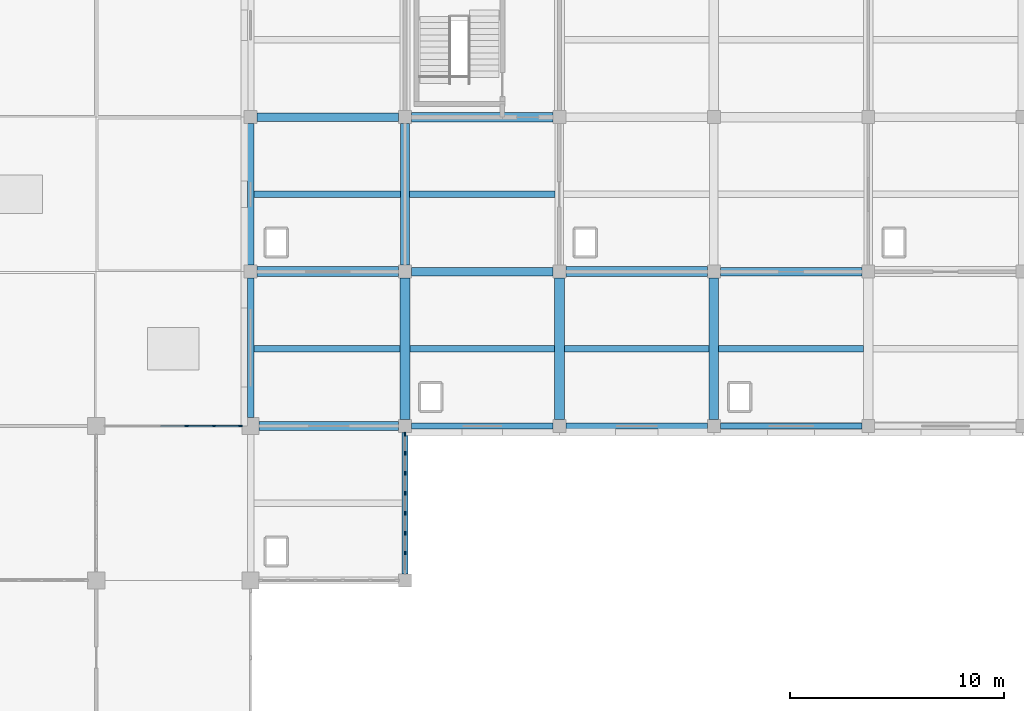
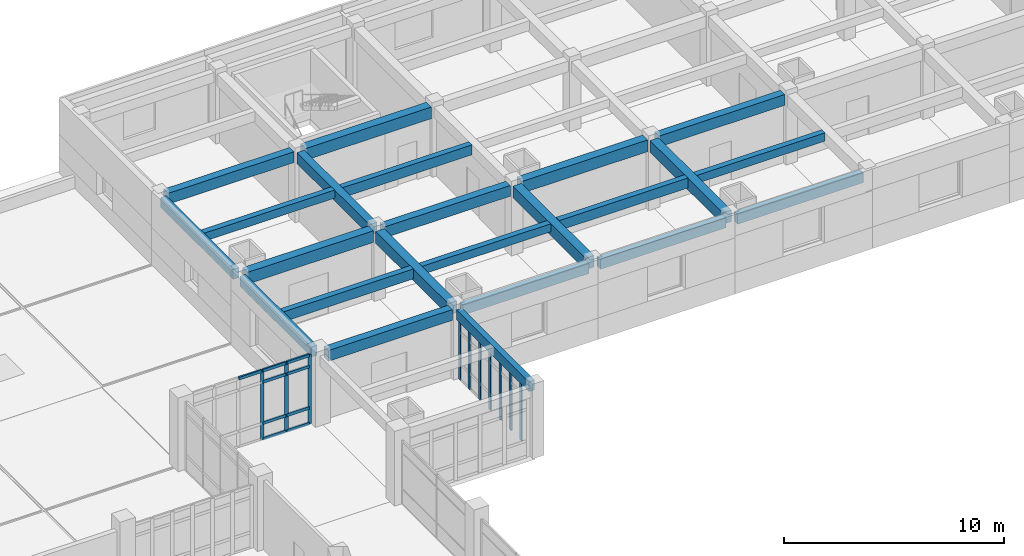
# One storey, part 13 of 62: 23 beams, 19 members, 2 elements without a shape of their own.
"""IFC4 building model written with IfcOpenShell, lengths in metres."""

import ifcopenshell
import ifcopenshell.guid

model = None  # the IFC model being written
_history = None  # IfcOwnerHistory: only IFC2X3 demands one
_inside = {}  # id of a spatial element -> (the spatial element, [elements in it])
_under = {}  # id of a project, library or spatial element -> (it, [spatial elements below it])
_declared = {}  # id of a project -> (the project, [libraries it declares])
_typed = {}  # id of a type object -> (the type object, [elements of that type])
_made_of = {}  # id of a material, layer set ... -> (it, [elements and type objects made of it])


def new_model(schema):
    """Start an empty IFC model of exactly this schema.

    Asked for "IFC4X3", IfcOpenShell would pick the latest addendum, in which some entities
    have other attributes; the version numbers below select the first issue.
    IFC2X3 requires an IfcOwnerHistory on every rooted entity: one is made here for all.
    """
    global model, _history
    if schema == "IFC4X3":
        model = ifcopenshell.file(schema_version=(4, 3, 0, 0))
    else:
        model = ifcopenshell.file(schema=schema)
    _inside.clear()
    _under.clear()
    _declared.clear()
    _typed.clear()
    _made_of.clear()
    _history = None
    if model.schema == "IFC2X3":
        org = make("IfcOrganization", Name="unknown")
        user = make(
            "IfcPersonAndOrganization",
            ThePerson=make("IfcPerson", FamilyName="unknown"),
            TheOrganization=org,
        )
        app = make(
            "IfcApplication",
            ApplicationDeveloper=org,
            Version="unknown",
            ApplicationFullName="unknown",
            ApplicationIdentifier="unknown",
        )
        _history = make(
            "IfcOwnerHistory",
            OwningUser=user,
            OwningApplication=app,
            ChangeAction="ADDED",
            CreationDate=0,
        )
    return model


def make(cls, **values):
    """One entity of the class cls with the attributes given. An attribute that is None is left unset."""
    return model.create_entity(
        cls, **{name: value for name, value in values.items() if value is not None}
    )


def rooted(cls, **values):
    """An entity with a GlobalId (a new one), such as an element, a storey or a relation."""
    return make(cls, GlobalId=ifcopenshell.guid.new(), OwnerHistory=_history, **values)


def si_unit(unit_type, name, prefix=None):
    """IfcSIUnit, for example si_unit("LENGTHUNIT", "METRE", prefix="MILLI")."""
    return make("IfcSIUnit", UnitType=unit_type, Prefix=prefix, Name=name)


def assignment(units):
    """IfcUnitAssignment: the units of a project."""
    return None if units is None else make("IfcUnitAssignment", Units=units)


def point(xyz):
    """IfcCartesianPoint."""
    return None if xyz is None else make("IfcCartesianPoint", Coordinates=xyz)


def direction(xyz):
    """IfcDirection."""
    return None if xyz is None else make("IfcDirection", DirectionRatios=xyz)


def frame(location, z_axis=None, x_axis=None):
    """IfcAxis2Placement3D, a coordinate frame: its origin and axes. An axis left out is left unset."""
    return make(
        "IfcAxis2Placement3D",
        Location=point(location),
        Axis=direction(z_axis),
        RefDirection=direction(x_axis),
    )


def frame_2d(location, x_axis=None):
    """IfcAxis2Placement2D, a coordinate frame in the plane: its origin and x axis."""
    return make(
        "IfcAxis2Placement2D", Location=point(location), RefDirection=direction(x_axis)
    )


def origin():
    """The frame at (0, 0, 0) with its axes left unset."""
    return frame((0.0, 0.0, 0.0))


def origin_2d():
    """The frame at (0, 0) in the plane with its x axis left unset."""
    return frame_2d((0.0, 0.0))


def place(relative_to, where):
    """IfcLocalPlacement: puts the frame where relative to a parent placement (None: the world)."""
    return make(
        "IfcLocalPlacement", PlacementRelTo=relative_to, RelativePlacement=where
    )


def context(
    kind, dimensions, precision=None, world=None, true_north=None, identifier=None
):
    """IfcGeometricRepresentationContext, for example the 3D "Model" context."""
    return make(
        "IfcGeometricRepresentationContext",
        ContextIdentifier=identifier,
        ContextType=kind,
        CoordinateSpaceDimension=dimensions,
        Precision=precision,
        WorldCoordinateSystem=world,
        TrueNorth=true_north,
    )


def subcontext(parent, identifier, kind, view, scale=None):
    """IfcGeometricRepresentationSubContext, for example "Body" below "Model"."""
    return make(
        "IfcGeometricRepresentationSubContext",
        ContextIdentifier=identifier,
        ContextType=kind,
        ParentContext=parent,
        TargetScale=scale,
        TargetView=view,
    )


def project(units=None, contexts=None):
    """IfcProject with its units and contexts."""
    return rooted(
        "IfcProject",
        Name="project",
        RepresentationContexts=contexts,
        UnitsInContext=assignment(units),
    )


def spatial(cls, under=None, at=None, **own):
    """A site, building, storey or space (cls), placed at a placement, below another one or the project."""
    s = rooted(cls, ObjectPlacement=at, **own)
    if under is not None:
        _under.setdefault(under.id(), (under, []))[1].append(s)
    return s


def profile(cls, at=None, kind="AREA", **sizes):
    """A parametric profile (cls). Its sizes go by their IFC names, for example OverallWidth=200.0."""
    return make(cls, ProfileType=kind, Position=at, **sizes)


def rectangle(**sizes):
    """IfcRectangleProfileDef."""
    return profile("IfcRectangleProfileDef", **sizes)


def extrude(swept, where, along, depth):
    """IfcExtrudedAreaSolid: the profile swept, set in the frame where, extruded along a direction by depth."""
    return make(
        "IfcExtrudedAreaSolid",
        SweptArea=swept,
        Position=where,
        ExtrudedDirection=direction(along),
        Depth=depth,
    )


def shape(context_of_items, identifier, shape_type, items):
    """IfcShapeRepresentation: the items that make up one representation, for example the "Body"."""
    return make(
        "IfcShapeRepresentation",
        ContextOfItems=context_of_items,
        RepresentationIdentifier=identifier,
        RepresentationType=shape_type,
        Items=items,
    )


def material(Name=None, Category=None):
    """IfcMaterial."""
    return make("IfcMaterial", Name=Name, Category=Category)


def layer(
    of_material, thickness, ventilated=None, Name=None, Category=None, Priority=None
):
    """IfcMaterialLayer: one layer of a wall or slab, of a material (None: an air gap)."""
    return make(
        "IfcMaterialLayer",
        Material=of_material,
        LayerThickness=thickness,
        IsVentilated=ventilated,
        Name=Name,
        Category=Category,
        Priority=Priority,
    )


def layer_set(layers, Name=None):
    """IfcMaterialLayerSet."""
    return make("IfcMaterialLayerSet", MaterialLayers=layers, LayerSetName=Name)


def material_profile(
    of_material, cross_section, Name=None, Category=None, Priority=None
):
    """IfcMaterialProfile: a cross section and its material."""
    return make(
        "IfcMaterialProfile",
        Name=Name,
        Material=of_material,
        Profile=cross_section,
        Priority=Priority,
        Category=Category,
    )


def profile_set(profiles, Name=None, composite=None):
    """IfcMaterialProfileSet."""
    return make(
        "IfcMaterialProfileSet",
        Name=Name,
        MaterialProfiles=profiles,
        CompositeProfile=composite,
    )


def made_of(thing, what):
    """Note that an element or type object is made of a material, layer set ...; save() writes the relation."""
    if what is not None:
        _made_of.setdefault(what.id(), (what, []))[1].append(thing)
    return thing


def type_object(cls, material=None, **own):
    """A type object (cls), such as IfcWallType, which elements share."""
    return made_of(rooted(cls, **own), material)


def element(
    cls,
    number,
    at=None,
    inside=None,
    cuts=None,
    type_object=None,
    material=None,
    context=None,
    identifier="Body",
    shape_type=None,
    held_by="IfcProductDefinitionShape",
    body=None,
    shapes=None,
    **own,
):
    """One element of the class cls, such as IfcWall. Its Tag is "e" and its number.

    at: its placement. inside: the storey or other place that contains it. cuts: it is an
    opening in that element (IfcRelVoidsElement). A single representation is given by context,
    identifier, shape_type and body (its items); several are given by shapes. held_by: the class
    of the entity that holds the representations. save() writes the other relations.
    """
    e = rooted(cls, Tag="e%d" % number, ObjectPlacement=at, **own)
    if body is not None:
        shapes = [shape(context, identifier, shape_type, body)]
    if shapes is not None:
        e.Representation = make(held_by, Representations=shapes)
    if inside is not None:
        _inside.setdefault(inside.id(), (inside, []))[1].append(e)
    if cuts is not None:
        rooted(
            "IfcRelVoidsElement", RelatingBuildingElement=cuts, RelatedOpeningElement=e
        )
    if type_object is not None:
        _typed.setdefault(type_object.id(), (type_object, []))[1].append(e)
    return made_of(e, material)


def aggregate(whole, parts):
    """IfcRelAggregates: a whole, such as a stair, and the parts it consists of."""
    return rooted("IfcRelAggregates", RelatingObject=whole, RelatedObjects=parts)


def save(model, path):
    """Write the relations noted so far, then the file.

    IfcRelAggregates (storeys below a building ...), IfcRelContainedInSpatialStructure (elements
    in a storey), IfcRelDefinesByType, IfcRelAssociatesMaterial and IfcRelDeclares: one each for
    every whole, place, type object, material and project.
    """
    for whole, parts in _under.values():
        aggregate(whole, parts)
    for where, things in _inside.values():
        rooted(
            "IfcRelContainedInSpatialStructure",
            RelatedElements=things,
            RelatingStructure=where,
        )
    for kind, things in _typed.values():
        rooted("IfcRelDefinesByType", RelatedObjects=things, RelatingType=kind)
    for what, things in _made_of.values():
        rooted("IfcRelAssociatesMaterial", RelatedObjects=things, RelatingMaterial=what)
    for by, libraries in _declared.values():
        rooted("IfcRelDeclares", RelatingContext=by, RelatedDefinitions=libraries)
    model.write(path)


model = new_model("IFC4")

# Units and contexts
model_context = context("Model", 3, precision=1e-05, world=origin(), true_north=direction((0.0, 1.0)))
body_context = subcontext(model_context, "Body", "Model", "MODEL_VIEW")
ifc_project = project(units=[si_unit("LENGTHUNIT", "METRE"), si_unit("AREAUNIT", "SQUARE_METRE"), si_unit("VOLUMEUNIT", "CUBIC_METRE"), si_unit("PLANEANGLEUNIT", "RADIAN"), si_unit("MASSUNIT", "GRAM", prefix="KILO")], contexts=[model_context])

# Site, building, storey
site_placement = place(None, origin())
site = spatial("IfcSite", under=ifc_project, at=site_placement, CompositionType="ELEMENT")
building_placement = place(site_placement, origin())
building = spatial("IfcBuilding", under=site, at=building_placement, Name="Kavelor Marine Aquarium", CompositionType="ELEMENT")
storey_placement = place(building_placement, frame((0.0, 0.0, 13.5)))
storey = spatial("IfcBuildingStorey", under=building, at=storey_placement, Name="L03", CompositionType="ELEMENT", Elevation=13.5)

# Beams
ifc_material_1 = material(Name="Concrete C40/50", Category="concrete")
ifc_material_profile_1 = material_profile(ifc_material_1, rectangle(XDim=0.449951171875, YDim=0.64990234375, at=origin_2d()), Name="RC-BM 450x650")
ifc_profile_set_1 = profile_set([ifc_material_profile_1], Name="Concrete C40/50")
beam_type_1 = type_object("IfcBeamType", Name="BM-B3", PredefinedType="BEAM", material=ifc_profile_set_1)
for number, where, z_axis, x_axis, name in (
    (1, (39.5, 96.39990234375, 3.554931640625), (1.0, 0.0, 0.0), (0.0, 1.0, 0.0), "bm:x:L03:L04:05_13"),
    (2, (46.699951171875, 103.60009765625, 3.534912109375), (1.0, 0.0, 0.0), (0.0, 1.0, 0.0), "bm:x:L03:L04:06_14"),
    (3, (53.89990234375, 96.39990234375, 3.554931640625), (1.0, 0.0, 0.0), (0.0, 1.0, 0.0), "bm:x:L03:L04:07_13"),
    (4, (46.39990234375, 89.5, 3.534912109375), (0.0, 1.0, 0.0), (-1.0, 0.0, 0.0), "bm:y:L03:L04:06_12"),
    (5, (53.60009765625, 89.5, 3.534912109375), (0.0, 1.0, 0.0), (-1.0, 0.0, 0.0), "bm:y:L03:L04:07_12"),
    (6, (60.800048828125, 89.5, 3.534912109375), (0.0, 1.0, 0.0), (-1.0, 0.0, 0.0), "bm:y:L03:L04:08_12"),
):
    element("IfcBeam", number, at=place(storey_placement, frame(where, z_axis=z_axis, x_axis=x_axis)), inside=storey, type_object=beam_type_1, Name=name, PredefinedType="BEAM", context=body_context, shape_type="SweptSolid", body=[
        extrude(rectangle(XDim=0.449951171875, YDim=0.64990234375, at=origin_2d()), origin(), (0.0, 0.0, 1.0), 6.60009765625),
    ])
ifc_material_2 = material(Name="Concrete C40/50", Category="concrete")
ifc_material_profile_2 = material_profile(ifc_material_2, rectangle(XDim=0.39990234375, YDim=0.60009765625, at=origin_2d()), Name="RC-BM 400x600")
ifc_profile_set_2 = profile_set([ifc_material_profile_2], Name="Concrete C40/50")
beam_type_2 = type_object("IfcBeamType", Name="BM-B4", PredefinedType="BEAM", material=ifc_profile_set_2)
beam_1_placement = place(storey_placement, frame((39.60009765625, 89.199951171875, 3.56005859375), z_axis=(1.0, 0.0, 0.0), x_axis=(0.0, 1.0, 0.0)))
element("IfcBeam", 7, at=beam_1_placement, inside=storey, type_object=beam_type_2, Name="bm:x:L03:L04:05_12", PredefinedType="BEAM", context=body_context, shape_type="SweptSolid", body=[
    extrude(rectangle(XDim=0.39990234375, YDim=0.60009765625, at=origin_2d()), origin(), (0.0, 0.0, 1.0), 6.5),
])
for number, where, z_axis, x_axis, name in (
    (8, (39.5, 103.60009765625, 3.580078125), (1.0, 0.0, 0.0), (0.0, 1.0, 0.0), "bm:x:L03:L04:05_14"),
    (9, (46.699951171875, 96.39990234375, 3.56005859375), (1.0, 0.0, 0.0), (0.0, 1.0, 0.0), "bm:x:L03:L04:06_13"),
):
    element("IfcBeam", number, at=place(storey_placement, frame(where, z_axis=z_axis, x_axis=x_axis)), inside=storey, type_object=beam_type_2, Name=name, PredefinedType="BEAM", context=body_context, shape_type="SweptSolid", body=[
        extrude(rectangle(XDim=0.39990234375, YDim=0.60009765625, at=origin_2d()), origin(), (0.0, 0.0, 1.0), 6.60009765625),
    ])
beam_2_placement = place(storey_placement, frame((61.10009765625, 96.39990234375, 3.56005859375), z_axis=(1.0, 0.0, 0.0), x_axis=(0.0, 1.0, 0.0)))
element("IfcBeam", 10, at=beam_2_placement, inside=storey, type_object=beam_type_2, Name="bm:x:L03:L04:08_13", PredefinedType="BEAM", context=body_context, shape_type="SweptSolid", body=[
    extrude(rectangle(XDim=0.39990234375, YDim=0.60009765625, at=origin_2d()), origin(), (0.0, 0.0, 1.0), 6.599853515625),
])
beam_3_placement = place(storey_placement, frame((46.39990234375, 96.699951171875, 3.56005859375), z_axis=(0.0, 1.0, 0.0), x_axis=(-1.0, 0.0, 0.0)))
element("IfcBeam", 11, at=beam_3_placement, inside=storey, type_object=beam_type_2, Name="bm:y:L03:L04:06_13", PredefinedType="BEAM", context=body_context, shape_type="SweptSolid", body=[
    extrude(rectangle(XDim=0.39990234375, YDim=0.60009765625, at=origin_2d()), origin(), (0.0, 0.0, 1.0), 6.60009765625),
])
ifc_material_3 = material(Name="Concrete C40/50", Category="concrete")
ifc_material_profile_3 = material_profile(ifc_material_3, rectangle(XDim=0.300048828125, YDim=0.449951171875, at=origin_2d()), Name="RC-JS 300x450")
ifc_profile_set_3 = profile_set([ifc_material_profile_3], Name="Concrete C40/50")
beam_type_3 = type_object("IfcBeamType", Name="BM-JS1", PredefinedType="JOIST", material=ifc_profile_set_3)
beam_4_placement = place(storey_placement, frame((39.35009765625, 100.0, 3.655029296875), z_axis=(1.0, 0.0, 0.0), x_axis=(0.0, 1.0, 0.0)))
element("IfcBeam", 12, at=beam_4_placement, inside=storey, type_object=beam_type_3, Name="js:L03:L04:05_13", PredefinedType="JOIST", context=body_context, shape_type="SweptSolid", body=[
    extrude(rectangle(XDim=0.300048828125, YDim=0.449951171875, at=origin_2d()), origin(), (0.0, 0.0, 1.0), 6.849853515625),
])
for number, where, z_axis, x_axis, name in (
    (13, (46.625, 92.800048828125, 3.635009765625), (1.0, 0.0, 0.0), (0.0, 1.0, 0.0), "js:L03:L04:06_12"),
    (14, (61.02490234375, 92.800048828125, 3.635009765625), (1.0, 0.0, 0.0), (0.0, 1.0, 0.0), "js:L03:L04:08_12"),
):
    element("IfcBeam", number, at=place(storey_placement, frame(where, z_axis=z_axis, x_axis=x_axis)), inside=storey, type_object=beam_type_3, Name=name, PredefinedType="JOIST", context=body_context, shape_type="SweptSolid", body=[
        extrude(rectangle(XDim=0.300048828125, YDim=0.449951171875, at=origin_2d()), origin(), (0.0, 0.0, 1.0), 6.75),
    ])
ifc_material_4 = material(Name="Concrete C40/50", Category="concrete")
ifc_material_profile_4 = material_profile(ifc_material_4, rectangle(XDim=0.300048828125, YDim=0.550048828125, at=origin_2d()), Name="RC-JS 300x550")
ifc_profile_set_4 = profile_set([ifc_material_profile_4], Name="Concrete C40/50")
beam_type_4 = type_object("IfcBeamType", Name="BM-JS2", PredefinedType="JOIST", material=ifc_profile_set_4)
beam_5_placement = place(storey_placement, frame((39.35009765625, 92.800048828125, 3.60498046875), z_axis=(1.0, 0.0, 0.0), x_axis=(0.0, 1.0, 0.0)))
element("IfcBeam", 15, at=beam_5_placement, inside=storey, type_object=beam_type_4, Name="js:L03:L04:05_12", PredefinedType="JOIST", context=body_context, shape_type="SweptSolid", body=[
    extrude(rectangle(XDim=0.300048828125, YDim=0.550048828125, at=origin_2d()), origin(), (0.0, 0.0, 1.0), 6.824951171875),
])
beam_6_placement = place(storey_placement, frame((46.60009765625, 100.0, 3.5849609375), z_axis=(1.0, 0.0, 0.0), x_axis=(0.0, 1.0, 0.0)))
element("IfcBeam", 16, at=beam_6_placement, inside=storey, type_object=beam_type_4, Name="js:L03:L04:06_13", PredefinedType="JOIST", context=body_context, shape_type="SweptSolid", body=[
    extrude(rectangle(XDim=0.300048828125, YDim=0.550048828125, at=origin_2d()), origin(), (0.0, 0.0, 1.0), 6.7998046875),
])
beam_7_placement = place(storey_placement, frame((53.824951171875, 92.800048828125, 3.60498046875), z_axis=(1.0, 0.0, 0.0), x_axis=(0.0, 1.0, 0.0)))
element("IfcBeam", 17, at=beam_7_placement, inside=storey, type_object=beam_type_4, Name="js:L03:L04:07_12", PredefinedType="JOIST", context=body_context, shape_type="SweptSolid", body=[
    extrude(rectangle(XDim=0.300048828125, YDim=0.550048828125, at=origin_2d()), origin(), (0.0, 0.0, 1.0), 6.75),
])
ifc_material_5 = material(Name="Concrete C40/50", Category="concrete")
ifc_material_profile_5 = material_profile(ifc_material_5, rectangle(XDim=0.300048828125, YDim=0.550048828125, at=origin_2d()), Name="RC-SP 300x550")
ifc_profile_set_5 = profile_set([ifc_material_profile_5], Name="Concrete C40/50")
beam_type_5 = type_object("IfcBeamType", Name="BM-SP2", PredefinedType="SPANDREL", material=ifc_profile_set_5)
for number, where, z_axis, x_axis, name in (
    (18, (46.699951171875, 89.199951171875, 3.5849609375), (1.0, 0.0, 0.0), (0.0, 1.0, 0.0), "bm:x:L03:L04:06_12"),
    (19, (53.89990234375, 89.199951171875, 3.60498046875), (1.0, 0.0, 0.0), (0.0, 1.0, 0.0), "bm:x:L03:L04:07_12"),
):
    element("IfcBeam", number, at=place(storey_placement, frame(where, z_axis=z_axis, x_axis=x_axis)), inside=storey, type_object=beam_type_5, Name=name, PredefinedType="SPANDREL", context=body_context, shape_type="SweptSolid", body=[
        extrude(rectangle(XDim=0.300048828125, YDim=0.550048828125, at=origin_2d()), origin(), (0.0, 0.0, 1.0), 6.60009765625),
    ])
beam_8_placement = place(storey_placement, frame((61.10009765625, 89.199951171875, 3.5849609375), z_axis=(1.0, 0.0, 0.0), x_axis=(0.0, 1.0, 0.0)))
element("IfcBeam", 20, at=beam_8_placement, inside=storey, type_object=beam_type_5, Name="bm:x:L03:L04:08_12", PredefinedType="SPANDREL", context=body_context, shape_type="SweptSolid", body=[
    extrude(rectangle(XDim=0.300048828125, YDim=0.550048828125, at=origin_2d()), origin(), (0.0, 0.0, 1.0), 6.599853515625),
])
beam_9_placement = place(storey_placement, frame((39.199951171875, 89.60009765625, 3.60498046875), z_axis=(0.0, 1.0, 0.0), x_axis=(-1.0, 0.0, 0.0)))
element("IfcBeam", 21, at=beam_9_placement, inside=storey, type_object=beam_type_5, Name="bm:y:L03:L04:05_12", PredefinedType="SPANDREL", context=body_context, shape_type="SweptSolid", body=[
    extrude(rectangle(XDim=0.300048828125, YDim=0.550048828125, at=origin_2d()), origin(), (0.0, 0.0, 1.0), 6.5),
])
beam_10_placement = place(storey_placement, frame((39.199951171875, 96.699951171875, 3.60498046875), z_axis=(0.0, 1.0, 0.0), x_axis=(-1.0, 0.0, 0.0)))
element("IfcBeam", 22, at=beam_10_placement, inside=storey, type_object=beam_type_5, Name="bm:y:L03:L04:05_13", PredefinedType="SPANDREL", context=body_context, shape_type="SweptSolid", body=[
    extrude(rectangle(XDim=0.300048828125, YDim=0.550048828125, at=origin_2d()), origin(), (0.0, 0.0, 1.0), 6.60009765625),
])
beam_11_placement = place(storey_placement, frame((46.39990234375, 82.300048828125, 3.5849609375), z_axis=(0.0, 1.0, 0.0), x_axis=(-1.0, 0.0, 0.0)))
element("IfcBeam", 23, at=beam_11_placement, inside=storey, type_object=beam_type_5, Name="bm:y:L03:L04:06_11", PredefinedType="SPANDREL", context=body_context, shape_type="SweptSolid", body=[
    extrude(rectangle(XDim=0.300048828125, YDim=0.550048828125, at=origin_2d()), origin(), (0.0, 0.0, 1.0), 6.599853515625),
])

# Curtain wall, members
ifc_material_6 = material(Name="Thermally Broken Aluminium and Low-E Glass", Category="aluminium")
ifc_layer_1 = layer(ifc_material_6, 0.14794921875)
ifc_layer_set_1 = layer_set([ifc_layer_1], Name="CW-SYS1")
curtain_wall_type_1 = type_object("IfcCurtainWallType", Name="CW-SYS1", PredefinedType="USERDEFINED", material=ifc_layer_set_1)
curtain_wall_1_placement = place(storey_placement, origin())
curtain_wall_1 = element("IfcCurtainWall", 24, at=curtain_wall_1_placement, inside=storey, type_object=curtain_wall_type_1, Name="cw:y:L03:06_11", ObjectType="Curtain Wall", PredefinedType="USERDEFINED")
ifc_material_7 = material(Name="Anodised Aluminium Alloy 6063-T6", Category="aluminium")
ifc_material_profile_6 = material_profile(ifc_material_7, rectangle(XDim=0.074951171875, YDim=0.179931640625, at=origin_2d()), Name="CW-MUL 75x180")
ifc_profile_set_6 = profile_set([ifc_material_profile_6], Name="Anodised Aluminium Alloy 6063-T6")
member_type_1 = type_object("IfcMemberType", Name="CWM-1", PredefinedType="MULLION", material=ifc_profile_set_6)
member_1_placement = place(storey_placement, frame((46.39990234375, 83.27490234375, 0.0), z_axis=(0.0, 0.0, 1.0), x_axis=(-1.0, 0.0, 0.0)))
member_1 = element("IfcMember", 25, at=member_1_placement, type_object=member_type_1, Name="CW01 mullion 2", PredefinedType="MULLION", context=body_context, shape_type="SweptSolid", body=[
    extrude(rectangle(XDim=0.074951171875, YDim=0.179931640625, at=origin_2d()), origin(), (0.0, 0.0, 1.0), 3.300048828125),
])
member_2_placement = place(storey_placement, frame((46.39990234375, 84.205078125, 0.0), z_axis=(0.0, 0.0, 1.0), x_axis=(-1.0, 0.0, 0.0)))
member_2 = element("IfcMember", 26, at=member_2_placement, type_object=member_type_1, Name="CW01 mullion 3", PredefinedType="MULLION", context=body_context, shape_type="SweptSolid", body=[
    extrude(rectangle(XDim=0.074951171875, YDim=0.179931640625, at=origin_2d()), origin(), (0.0, 0.0, 1.0), 3.300048828125),
])
member_3_placement = place(storey_placement, frame((46.39990234375, 85.135009765625, 0.0), z_axis=(0.0, 0.0, 1.0), x_axis=(-1.0, 0.0, 0.0)))
member_3 = element("IfcMember", 27, at=member_3_placement, type_object=member_type_1, Name="CW01 mullion 4", PredefinedType="MULLION", context=body_context, shape_type="SweptSolid", body=[
    extrude(rectangle(XDim=0.074951171875, YDim=0.179931640625, at=origin_2d()), origin(), (0.0, 0.0, 1.0), 3.300048828125),
])
member_4_placement = place(storey_placement, frame((46.39990234375, 86.06494140625, 0.0), z_axis=(0.0, 0.0, 1.0), x_axis=(-1.0, 0.0, 0.0)))
member_4 = element("IfcMember", 28, at=member_4_placement, type_object=member_type_1, Name="CW01 mullion 5", PredefinedType="MULLION", context=body_context, shape_type="SweptSolid", body=[
    extrude(rectangle(XDim=0.074951171875, YDim=0.179931640625, at=origin_2d()), origin(), (0.0, 0.0, 1.0), 3.300048828125),
])
member_5_placement = place(storey_placement, frame((46.39990234375, 86.9951171875, 0.0), z_axis=(0.0, 0.0, 1.0), x_axis=(-1.0, 0.0, 0.0)))
member_5 = element("IfcMember", 29, at=member_5_placement, type_object=member_type_1, Name="CW01 mullion 6", PredefinedType="MULLION", context=body_context, shape_type="SweptSolid", body=[
    extrude(rectangle(XDim=0.074951171875, YDim=0.179931640625, at=origin_2d()), origin(), (0.0, 0.0, 1.0), 3.300048828125),
])
member_6_placement = place(storey_placement, frame((46.39990234375, 87.925048828125, 0.0), z_axis=(0.0, 0.0, 1.0), x_axis=(-1.0, 0.0, 0.0)))
member_6 = element("IfcMember", 30, at=member_6_placement, type_object=member_type_1, Name="CW01 mullion 7", PredefinedType="MULLION", context=body_context, shape_type="SweptSolid", body=[
    extrude(rectangle(XDim=0.074951171875, YDim=0.179931640625, at=origin_2d()), origin(), (0.0, 0.0, 1.0), 3.300048828125),
])
member_7_placement = place(storey_placement, frame((46.39990234375, 88.8173828125, 0.0), z_axis=(0.0, 0.0, 1.0), x_axis=(-1.0, 0.0, 0.0)))
member_7 = element("IfcMember", 31, at=member_7_placement, type_object=member_type_1, Name="CW01 mullion 8", PredefinedType="MULLION", context=body_context, shape_type="SweptSolid", body=[
    extrude(rectangle(XDim=0.074951171875, YDim=0.179931640625, at=origin_2d()), origin(), (0.0, 0.0, 1.0), 3.300048828125),
])
aggregate(curtain_wall_1, [member_1, member_2, member_3, member_4, member_5, member_6, member_7])

ifc_material_8 = material(Name="Thermally Broken Aluminium and Low-E Glass", Category="aluminium")
ifc_layer_2 = layer(ifc_material_8, 0.179931640625)
ifc_layer_set_2 = layer_set([ifc_layer_2], Name="CW-SYS5")
curtain_wall_type_2 = type_object("IfcCurtainWallType", Name="CW-SYS5", PredefinedType="USERDEFINED", material=ifc_layer_set_2)
curtain_wall_2_placement = place(storey_placement, origin())
curtain_wall_2 = element("IfcCurtainWall", 32, at=curtain_wall_2_placement, inside=storey, type_object=curtain_wall_type_2, Name="cw:x:L03:04_12", ObjectType="Curtain Wall", PredefinedType="USERDEFINED")
ifc_material_9 = material(Name="Anodised Aluminium Alloy 6063-T6", Category="aluminium")
ifc_material_profile_7 = material_profile(ifc_material_9, rectangle(XDim=0.080078125, YDim=0.18505859375, at=origin_2d()), Name="CW-MUL 80x185")
ifc_profile_set_7 = profile_set([ifc_material_profile_7], Name="Anodised Aluminium Alloy 6063-T6")
member_type_2 = type_object("IfcMemberType", Name="CWM-2", PredefinedType="MULLION", material=ifc_profile_set_7)
member_8_placement = place(storey_placement, frame((36.23095703125, 89.199951171875, 0.0), z_axis=(0.0, 0.0, 1.0), x_axis=(0.0, 1.0, 0.0)))
member_8 = element("IfcMember", 33, at=member_8_placement, type_object=member_type_2, Name="CW05 mullion 4", PredefinedType="MULLION", context=body_context, shape_type="SweptSolid", body=[
    extrude(rectangle(XDim=0.080078125, YDim=0.18505859375, at=origin_2d()), origin(), (0.0, 0.0, 1.0), 3.840087890625),
])
member_9_placement = place(storey_placement, frame((37.492919921875, 89.199951171875, 0.0), z_axis=(0.0, 0.0, 1.0), x_axis=(0.0, 1.0, 0.0)))
member_9 = element("IfcMember", 34, at=member_9_placement, type_object=member_type_2, Name="CW05 mullion 5", PredefinedType="MULLION", context=body_context, shape_type="SweptSolid", body=[
    extrude(rectangle(XDim=0.080078125, YDim=0.18505859375, at=origin_2d()), origin(), (0.0, 0.0, 1.0), 3.840087890625),
])
member_10_placement = place(storey_placement, frame((38.722412109375, 89.199951171875, 0.0), z_axis=(0.0, 0.0, 1.0), x_axis=(0.0, 1.0, 0.0)))
member_10 = element("IfcMember", 35, at=member_10_placement, type_object=member_type_2, Name="CW05 mullion 6", PredefinedType="MULLION", context=body_context, shape_type="SweptSolid", body=[
    extrude(rectangle(XDim=0.080078125, YDim=0.18505859375, at=origin_2d()), origin(), (0.0, 0.0, 1.0), 3.840087890625),
])
ifc_material_10 = material(Name="Anodised Aluminium Alloy 6063-T6", Category="aluminium")
ifc_material_profile_8 = material_profile(ifc_material_10, rectangle(XDim=0.0849609375, YDim=0.159912109375, at=origin_2d()), Name="CW-TRN 85x160")
ifc_profile_set_8 = profile_set([ifc_material_profile_8], Name="Anodised Aluminium Alloy 6063-T6")
member_type_3 = type_object("IfcMemberType", Name="CWT-3", PredefinedType="USERDEFINED", material=ifc_profile_set_8)
member_11_placement = place(storey_placement, frame((35.00146484375, 89.199951171875, 3.81005859375), z_axis=(1.0, 0.0, 0.0), x_axis=(0.0, 1.0, 0.0)))
member_11 = element("IfcMember", 36, at=member_11_placement, type_object=member_type_3, Name="CW05 transom 3.4", ObjectType="TRANSOM", PredefinedType="USERDEFINED", context=body_context, shape_type="SweptSolid", body=[
    extrude(rectangle(XDim=0.0849609375, YDim=0.159912109375, at=origin_2d()), origin(), (0.0, 0.0, 1.0), 1.197021484375),
])
member_12_placement = place(storey_placement, frame((36.263427734375, 89.199951171875, 0.030029296875), z_axis=(1.0, 0.0, 0.0), x_axis=(0.0, 1.0, 0.0)))
member_12 = element("IfcMember", 37, at=member_12_placement, type_object=member_type_3, Name="CW05 transom 4.1", ObjectType="TRANSOM", PredefinedType="USERDEFINED", context=body_context, shape_type="SweptSolid", body=[
    extrude(rectangle(XDim=0.0849609375, YDim=0.159912109375, at=origin_2d()), origin(), (0.0, 0.0, 1.0), 1.197021484375),
])
member_13_placement = place(storey_placement, frame((36.263427734375, 89.199951171875, 0.89990234375), z_axis=(1.0, 0.0, 0.0), x_axis=(0.0, 1.0, 0.0)))
member_13 = element("IfcMember", 38, at=member_13_placement, type_object=member_type_3, Name="CW05 transom 4.2", ObjectType="TRANSOM", PredefinedType="USERDEFINED", context=body_context, shape_type="SweptSolid", body=[
    extrude(rectangle(XDim=0.0849609375, YDim=0.159912109375, at=origin_2d()), origin(), (0.0, 0.0, 1.0), 1.197021484375),
])
member_14_placement = place(storey_placement, frame((36.263427734375, 89.199951171875, 3.18994140625), z_axis=(1.0, 0.0, 0.0), x_axis=(0.0, 1.0, 0.0)))
member_14 = element("IfcMember", 39, at=member_14_placement, type_object=member_type_3, Name="CW05 transom 4.3", ObjectType="TRANSOM", PredefinedType="USERDEFINED", context=body_context, shape_type="SweptSolid", body=[
    extrude(rectangle(XDim=0.0849609375, YDim=0.159912109375, at=origin_2d()), origin(), (0.0, 0.0, 1.0), 1.197021484375),
])
member_15_placement = place(storey_placement, frame((36.263427734375, 89.199951171875, 3.81005859375), z_axis=(1.0, 0.0, 0.0), x_axis=(0.0, 1.0, 0.0)))
member_15 = element("IfcMember", 40, at=member_15_placement, type_object=member_type_3, Name="CW05 transom 4.4", ObjectType="TRANSOM", PredefinedType="USERDEFINED", context=body_context, shape_type="SweptSolid", body=[
    extrude(rectangle(XDim=0.0849609375, YDim=0.159912109375, at=origin_2d()), origin(), (0.0, 0.0, 1.0), 1.197021484375),
])
member_16_placement = place(storey_placement, frame((37.525390625, 89.199951171875, 0.030029296875), z_axis=(1.0, 0.0, 0.0), x_axis=(0.0, 1.0, 0.0)))
member_16 = element("IfcMember", 41, at=member_16_placement, type_object=member_type_3, Name="CW05 transom 5.1", ObjectType="TRANSOM", PredefinedType="USERDEFINED", context=body_context, shape_type="SweptSolid", body=[
    extrude(rectangle(XDim=0.0849609375, YDim=0.159912109375, at=origin_2d()), origin(), (0.0, 0.0, 1.0), 1.16455078125),
])
member_17_placement = place(storey_placement, frame((37.525390625, 89.199951171875, 0.89990234375), z_axis=(1.0, 0.0, 0.0), x_axis=(0.0, 1.0, 0.0)))
member_17 = element("IfcMember", 42, at=member_17_placement, type_object=member_type_3, Name="CW05 transom 5.2", ObjectType="TRANSOM", PredefinedType="USERDEFINED", context=body_context, shape_type="SweptSolid", body=[
    extrude(rectangle(XDim=0.0849609375, YDim=0.159912109375, at=origin_2d()), origin(), (0.0, 0.0, 1.0), 1.16455078125),
])
member_18_placement = place(storey_placement, frame((37.525390625, 89.199951171875, 3.18994140625), z_axis=(1.0, 0.0, 0.0), x_axis=(0.0, 1.0, 0.0)))
member_18 = element("IfcMember", 43, at=member_18_placement, type_object=member_type_3, Name="CW05 transom 5.3", ObjectType="TRANSOM", PredefinedType="USERDEFINED", context=body_context, shape_type="SweptSolid", body=[
    extrude(rectangle(XDim=0.0849609375, YDim=0.159912109375, at=origin_2d()), origin(), (0.0, 0.0, 1.0), 1.16455078125),
])
member_19_placement = place(storey_placement, frame((37.525390625, 89.199951171875, 3.81005859375), z_axis=(1.0, 0.0, 0.0), x_axis=(0.0, 1.0, 0.0)))
member_19 = element("IfcMember", 44, at=member_19_placement, type_object=member_type_3, Name="CW05 transom 5.4", ObjectType="TRANSOM", PredefinedType="USERDEFINED", context=body_context, shape_type="SweptSolid", body=[
    extrude(rectangle(XDim=0.0849609375, YDim=0.159912109375, at=origin_2d()), origin(), (0.0, 0.0, 1.0), 1.16455078125),
])
aggregate(curtain_wall_2, [member_8, member_9, member_10, member_11, member_12, member_13, member_14, member_15, member_16, member_17, member_18, member_19])

save(model, "model.ifc")
